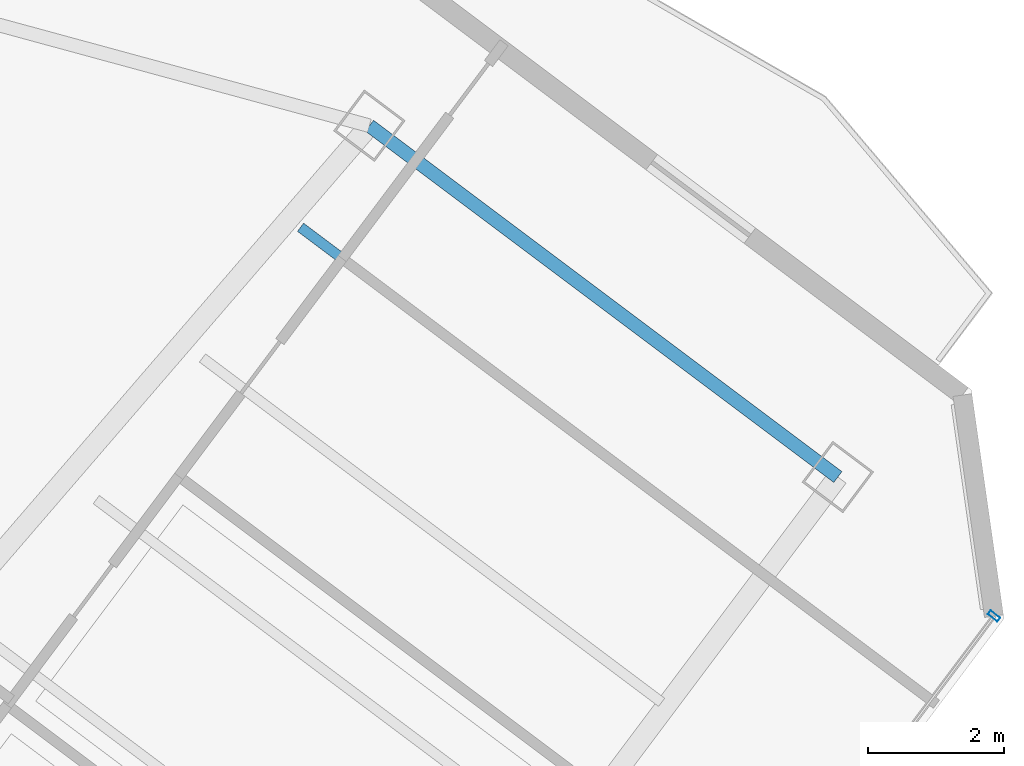
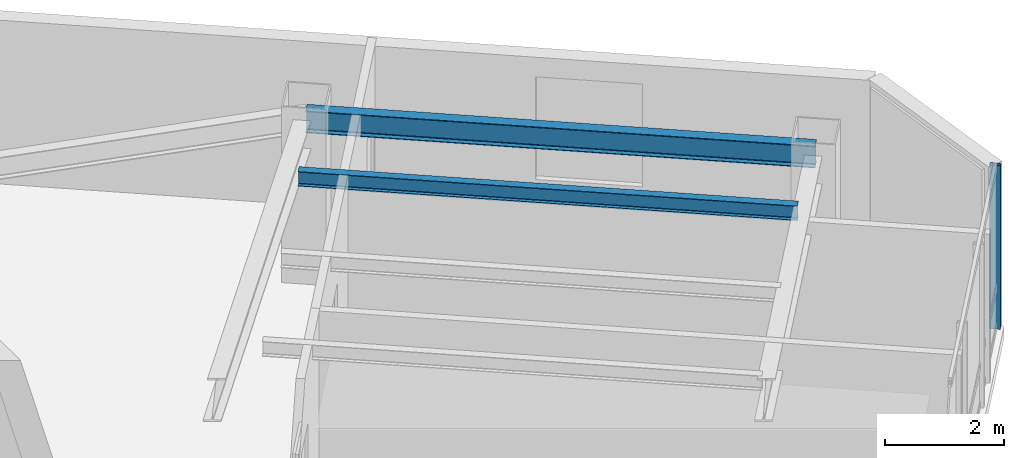
# One storey, part 14 of 26: 2 beams, 1 member, 1 element without a shape of its own.
"""IFC4 building model written with IfcOpenShell, lengths in metres."""

from ifc_helpers import new_model, si_unit, direction, frame, origin, origin_2d, place, context, subcontext, project, spatial, hollow_rectangle, i_section, extrude, material, layer, layer_set, material_profile, profile_set, type_object, element, aggregate, save


model = new_model("IFC4")

# Units and contexts
model_context = context("Model", 3, precision=1e-05, world=origin(), true_north=direction((0.0, 1.0)))
body_context = subcontext(model_context, "Body", "Model", "MODEL_VIEW")
ifc_project = project(units=[si_unit("LENGTHUNIT", "METRE"), si_unit("AREAUNIT", "SQUARE_METRE"), si_unit("VOLUMEUNIT", "CUBIC_METRE"), si_unit("PLANEANGLEUNIT", "RADIAN"), si_unit("MASSUNIT", "GRAM", prefix="KILO")], contexts=[model_context])

# Site, building, storey
site_placement = place(None, origin())
site = spatial("IfcSite", under=ifc_project, at=site_placement, CompositionType="ELEMENT")
building_placement = place(site_placement, origin())
building = spatial("IfcBuilding", under=site, at=building_placement, Name="Hatsunagi Terrace Concourse", CompositionType="ELEMENT")
storey_placement = place(building_placement, frame((0.0, 0.0, 209.550048828125)))
storey = spatial("IfcBuildingStorey", under=building, at=storey_placement, Name="L55", CompositionType="ELEMENT", Elevation=209.550048828125)

# Curtain wall, member
ifc_material_1 = material(Name="Anodised Aluminium Alloy 6063-T5", Category="aluminium")
ifc_layer = layer(ifc_material_1, 0.199951171875)
ifc_layer_set = layer_set([ifc_layer], Name="OfficeZone2_CW04")
curtain_wall_type = type_object("IfcCurtainWallType", Name="OfficeZone2_CW04", PredefinedType="NOTDEFINED", material=ifc_layer_set)
curtain_wall_placement = place(storey_placement, origin())
curtain_wall = element("IfcCurtainWall", 1, at=curtain_wall_placement, inside=storey, type_object=curtain_wall_type, Name="Unitised Curtain Wall CW-04 CW-L55-03", PredefinedType="NOTDEFINED")
ifc_material_2 = material(Name="Anodised Aluminium Alloy 6063-T5", Category="aluminium")
ifc_material_profile_1 = material_profile(ifc_material_2, hollow_rectangle(XDim=0.070068359375, YDim=0.179931640625, WallThickness=0.00390625, at=origin_2d()), Name="ALU-MUL-180x70x4")
ifc_profile_set_1 = profile_set([ifc_material_profile_1], Name="Anodised Aluminium Alloy 6063-T5")
member_type = type_object("IfcMemberType", Name="CurtainWallMullion_180x70", PredefinedType="MULLION", material=ifc_profile_set_1)
member_placement = place(storey_placement, frame((60.693115234375, 25.9580078125, 0.0), z_axis=(0.0, 0.0, 1.0), x_axis=(-0.599969314634, -0.800023013105, 0.0)))
member = element("IfcMember", 2, at=member_placement, type_object=member_type, Name="Curtain Wall Mullion MUL-02", PredefinedType="MULLION", context=body_context, shape_type="SweptSolid", body=[
    extrude(hollow_rectangle(XDim=0.070068359375, YDim=0.179931640625, WallThickness=0.00390625, at=origin_2d()), origin(), (0.0, 0.0, 1.0), 3.349853515625),
])
aggregate(curtain_wall, [member])

# Beams
ifc_material_3 = material(Name="Steel SN490B", Category="steel")
ifc_material_profile_2 = material_profile(ifc_material_3, i_section(OverallWidth=0.14990234375, OverallDepth=0.300048828125, WebThickness=0.006591796875, FlangeThickness=0.009033203125, FilletRadius=0.010986328125, at=origin_2d()), Name="H-300x150x6.5x9")
ifc_profile_set_2 = profile_set([ifc_material_profile_2], Name="Steel SN490B")
beam_type_1 = type_object("IfcBeamType", Name="OfficeJoist_H_300x150", PredefinedType="JOIST", material=ifc_profile_set_2)
beam_1_placement = place(storey_placement, frame((50.508056640625, 31.6689453125, 3.199951171875), z_axis=(0.800003475366, -0.59999536615, 0.0), x_axis=(0.59999536615, 0.800003475366, 0.0)))
element("IfcBeam", 3, at=beam_1_placement, inside=storey, type_object=beam_type_1, Name="Beam J-03 J-L55-SE-2-218", PredefinedType="JOIST", context=body_context, shape_type="SweptSolid", body=[
    extrude(i_section(OverallWidth=0.14990234375, OverallDepth=0.300048828125, WebThickness=0.006591796875, FlangeThickness=0.009033203125, FilletRadius=0.010986328125, at=origin_2d()), origin(), (0.0, 0.0, 1.0), 8.429931640625),
])
ifc_material_4 = material(Name="Steel SN490B", Category="steel")
ifc_material_profile_3 = material_profile(ifc_material_4, i_section(OverallWidth=0.199951171875, OverallDepth=0.449951171875, WebThickness=0.009033203125, FlangeThickness=0.013916015625, FilletRadius=0.01611328125, at=origin_2d()), Name="H-450x200x9x14")
ifc_profile_set_3 = profile_set([ifc_material_profile_3], Name="Steel SN490B")
beam_type_2 = type_object("IfcBeamType", Name="PerimeterSpandrel_H_450x200", PredefinedType="SPANDREL", material=ifc_profile_set_3)
beam_2_placement = place(storey_placement, frame((51.52001953125, 33.159912109375, 3.125), z_axis=(0.8, -0.6, 0.0), x_axis=(0.6, 0.8, 0.0)))
element("IfcBeam", 4, at=beam_2_placement, inside=storey, type_object=beam_type_2, Name="Beam SP-02 BM-L55-SE-NE2", PredefinedType="SPANDREL", context=body_context, shape_type="SweptSolid", body=[
    extrude(i_section(OverallWidth=0.199951171875, OverallDepth=0.449951171875, WebThickness=0.009033203125, FlangeThickness=0.013916015625, FilletRadius=0.01611328125, at=origin_2d()), origin(), (0.0, 0.0, 1.0), 8.599853515625),
])

save(model, "model.ifc")
